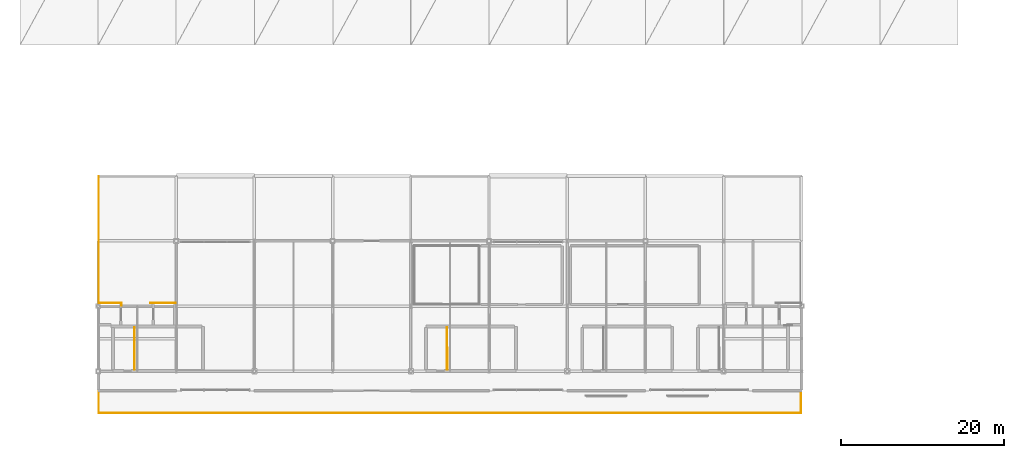
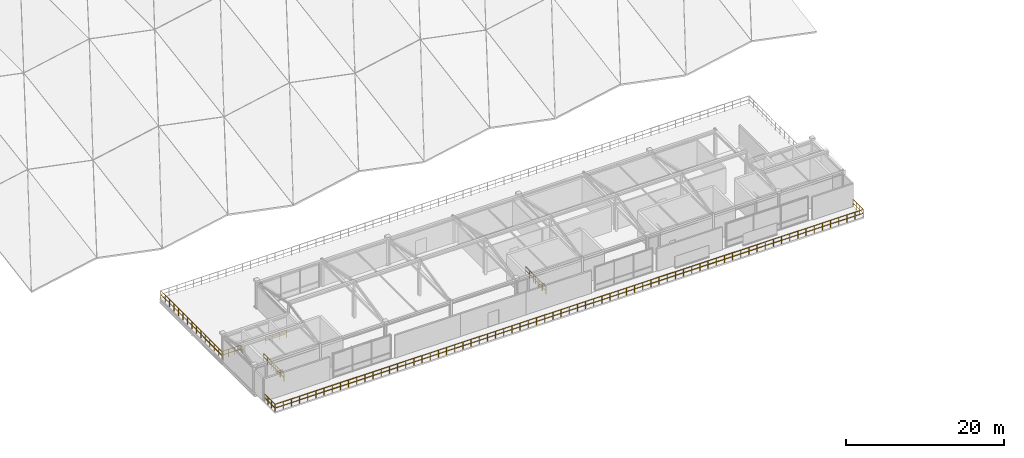
# One storey, part 23 of 26: 8 railings.
"""IFC4 building model written with IfcOpenShell, lengths in metres."""

from ifc_helpers import new_model, si_unit, direction, frame, origin, origin_2d, place, context, subcontext, project, spatial, circle, extrude, material, type_object, element, save


model = new_model("IFC4")

# Units and contexts
model_context = context("Model", 3, precision=1e-05, world=origin(), true_north=direction((0.0, 1.0)))
body_context = subcontext(model_context, "Body", "Model", "MODEL_VIEW")
ifc_project = project(units=[si_unit("LENGTHUNIT", "METRE"), si_unit("AREAUNIT", "SQUARE_METRE"), si_unit("VOLUMEUNIT", "CUBIC_METRE"), si_unit("PLANEANGLEUNIT", "RADIAN"), si_unit("MASSUNIT", "GRAM", prefix="KILO")], contexts=[model_context])

# Site, building, storey
site_placement = place(None, origin())
site = spatial("IfcSite", under=ifc_project, at=site_placement, CompositionType="ELEMENT")
building_placement = place(site_placement, origin())
building = spatial("IfcBuilding", under=site, at=building_placement, Name="Danafjord Basin Convention Centre", CompositionType="ELEMENT")
storey_placement = place(building_placement, frame((0.0, 0.0, 29.39990234375)))
storey = spatial("IfcBuildingStorey", under=building, at=storey_placement, Name="RF", CompositionType="ELEMENT", Elevation=29.39990234375)

# Railings
ifc_material_1 = material(Name="Laminated structural glass and stainless steel", Category="steel")
railing_type_1 = type_object("IfcRailingType", Name="RL-BAL-GLS", PredefinedType="BALUSTRADE", material=ifc_material_1)
railing_1_placement = place(storey_placement, frame((95.919921875, 13.52490234375, 0.0)))
element("IfcRailing", 1, at=railing_1_placement, inside=storey, type_object=railing_type_1, Name="RF safety guard balustrade 331", PredefinedType="BALUSTRADE", context=body_context, shape_type="SweptSolid", body=[
    extrude(circle(Radius=0.02392578125, at=origin_2d()), frame((0.0, 0.0, 1.1259765625), z_axis=(0.0, -1.0, 0.0), x_axis=(1.0, 0.0, 0.0)), (0.0, 0.0, 1.0), 2.64501953125),
    extrude(circle(Radius=0.02392578125, at=origin_2d()), frame((0.0, 0.0, 0.55078125), z_axis=(0.0, -1.0, 0.0), x_axis=(1.0, 0.0, 0.0)), (0.0, 0.0, 1.0), 2.64501953125),
    extrude(circle(Radius=0.02392578125, at=origin_2d()), frame((0.0, -2.64501953125, 1.1259765625), z_axis=(-1.0, 0.0, 0.0), x_axis=(0.0, -1.0, 0.0)), (0.0, 0.0, 1.0), 86.239990234375),
    extrude(circle(Radius=0.02392578125, at=origin_2d()), frame((0.0, -2.64501953125, 0.55078125), z_axis=(-1.0, 0.0, 0.0), x_axis=(0.0, -1.0, 0.0)), (0.0, 0.0, 1.0), 86.239990234375),
    extrude(circle(Radius=0.02392578125, at=origin_2d()), frame((-86.239990234375, -2.64501953125, 1.1259765625), z_axis=(0.0, 1.0, 0.0), x_axis=(-1.0, 0.0, 0.0)), (0.0, 0.0, 1.0), 2.64501953125),
    extrude(circle(Radius=0.02392578125, at=origin_2d()), frame((-86.239990234375, -2.64501953125, 0.55078125), z_axis=(0.0, 1.0, 0.0), x_axis=(-1.0, 0.0, 0.0)), (0.0, 0.0, 1.0), 2.64501953125),
    extrude(circle(Radius=0.02099609375, at=origin_2d()), origin(), (0.0, 0.0, 1.0), 1.099853515625),
    extrude(circle(Radius=0.02099609375, at=origin_2d()), frame((0.0, -0.881591796875, 0.0)), (0.0, 0.0, 1.0), 1.099853515625),
    extrude(circle(Radius=0.02099609375, at=origin_2d()), frame((0.0, -1.763427734375, 0.0)), (0.0, 0.0, 1.0), 1.099853515625),
    extrude(circle(Radius=0.02099609375, at=origin_2d()), frame((0.0, -2.64501953125, 0.0)), (0.0, 0.0, 1.0), 1.099853515625),
    extrude(circle(Radius=0.02099609375, at=origin_2d()), frame((-1.19775390625, -2.64501953125, 0.0)), (0.0, 0.0, 1.0), 1.099853515625),
    extrude(circle(Radius=0.02099609375, at=origin_2d()), frame((-2.3955078125, -2.64501953125, 0.0)), (0.0, 0.0, 1.0), 1.099853515625),
    extrude(circle(Radius=0.02099609375, at=origin_2d()), frame((-3.59326171875, -2.64501953125, 0.0)), (0.0, 0.0, 1.0), 1.099853515625),
    extrude(circle(Radius=0.02099609375, at=origin_2d()), frame((-4.791015625, -2.64501953125, 0.0)), (0.0, 0.0, 1.0), 1.099853515625),
    extrude(circle(Radius=0.02099609375, at=origin_2d()), frame((-5.98876953125, -2.64501953125, 0.0)), (0.0, 0.0, 1.0), 1.099853515625),
    extrude(circle(Radius=0.02099609375, at=origin_2d()), frame((-7.186767578125, -2.64501953125, 0.0)), (0.0, 0.0, 1.0), 1.099853515625),
    extrude(circle(Radius=0.02099609375, at=origin_2d()), frame((-8.384521484375, -2.64501953125, 0.0)), (0.0, 0.0, 1.0), 1.099853515625),
    extrude(circle(Radius=0.02099609375, at=origin_2d()), frame((-9.582275390625, -2.64501953125, 0.0)), (0.0, 0.0, 1.0), 1.099853515625),
    extrude(circle(Radius=0.02099609375, at=origin_2d()), frame((-10.780029296875, -2.64501953125, 0.0)), (0.0, 0.0, 1.0), 1.099853515625),
    extrude(circle(Radius=0.02099609375, at=origin_2d()), frame((-11.977783203125, -2.64501953125, 0.0)), (0.0, 0.0, 1.0), 1.099853515625),
    extrude(circle(Radius=0.02099609375, at=origin_2d()), frame((-13.175537109375, -2.64501953125, 0.0)), (0.0, 0.0, 1.0), 1.099853515625),
    extrude(circle(Radius=0.02099609375, at=origin_2d()), frame((-14.373291015625, -2.64501953125, 0.0)), (0.0, 0.0, 1.0), 1.099853515625),
    extrude(circle(Radius=0.02099609375, at=origin_2d()), frame((-15.571044921875, -2.64501953125, 0.0)), (0.0, 0.0, 1.0), 1.099853515625),
    extrude(circle(Radius=0.02099609375, at=origin_2d()), frame((-16.768798828125, -2.64501953125, 0.0)), (0.0, 0.0, 1.0), 1.099853515625),
    extrude(circle(Radius=0.02099609375, at=origin_2d()), frame((-17.966552734375, -2.64501953125, 0.0)), (0.0, 0.0, 1.0), 1.099853515625),
    extrude(circle(Radius=0.02099609375, at=origin_2d()), frame((-19.16455078125, -2.64501953125, 0.0)), (0.0, 0.0, 1.0), 1.099853515625),
    extrude(circle(Radius=0.02099609375, at=origin_2d()), frame((-20.3623046875, -2.64501953125, 0.0)), (0.0, 0.0, 1.0), 1.099853515625),
    extrude(circle(Radius=0.02099609375, at=origin_2d()), frame((-21.56005859375, -2.64501953125, 0.0)), (0.0, 0.0, 1.0), 1.099853515625),
    extrude(circle(Radius=0.02099609375, at=origin_2d()), frame((-22.7578125, -2.64501953125, 0.0)), (0.0, 0.0, 1.0), 1.099853515625),
    extrude(circle(Radius=0.02099609375, at=origin_2d()), frame((-23.95556640625, -2.64501953125, 0.0)), (0.0, 0.0, 1.0), 1.099853515625),
    extrude(circle(Radius=0.02099609375, at=origin_2d()), frame((-25.1533203125, -2.64501953125, 0.0)), (0.0, 0.0, 1.0), 1.099853515625),
    extrude(circle(Radius=0.02099609375, at=origin_2d()), frame((-26.35107421875, -2.64501953125, 0.0)), (0.0, 0.0, 1.0), 1.099853515625),
    extrude(circle(Radius=0.02099609375, at=origin_2d()), frame((-27.548828125, -2.64501953125, 0.0)), (0.0, 0.0, 1.0), 1.099853515625),
    extrude(circle(Radius=0.02099609375, at=origin_2d()), frame((-28.74658203125, -2.64501953125, 0.0)), (0.0, 0.0, 1.0), 1.099853515625),
    extrude(circle(Radius=0.02099609375, at=origin_2d()), frame((-29.9443359375, -2.64501953125, 0.0)), (0.0, 0.0, 1.0), 1.099853515625),
    extrude(circle(Radius=0.02099609375, at=origin_2d()), frame((-31.142333984375, -2.64501953125, 0.0)), (0.0, 0.0, 1.0), 1.099853515625),
    extrude(circle(Radius=0.02099609375, at=origin_2d()), frame((-32.340087890625, -2.64501953125, 0.0)), (0.0, 0.0, 1.0), 1.099853515625),
    extrude(circle(Radius=0.02099609375, at=origin_2d()), frame((-33.537841796875, -2.64501953125, 0.0)), (0.0, 0.0, 1.0), 1.099853515625),
    extrude(circle(Radius=0.02099609375, at=origin_2d()), frame((-34.735595703125, -2.64501953125, 0.0)), (0.0, 0.0, 1.0), 1.099853515625),
    extrude(circle(Radius=0.02099609375, at=origin_2d()), frame((-35.933349609375, -2.64501953125, 0.0)), (0.0, 0.0, 1.0), 1.099853515625),
    extrude(circle(Radius=0.02099609375, at=origin_2d()), frame((-37.131103515625, -2.64501953125, 0.0)), (0.0, 0.0, 1.0), 1.099853515625),
    extrude(circle(Radius=0.02099609375, at=origin_2d()), frame((-38.328857421875, -2.64501953125, 0.0)), (0.0, 0.0, 1.0), 1.099853515625),
    extrude(circle(Radius=0.02099609375, at=origin_2d()), frame((-39.526611328125, -2.64501953125, 0.0)), (0.0, 0.0, 1.0), 1.099853515625),
    extrude(circle(Radius=0.02099609375, at=origin_2d()), frame((-40.724365234375, -2.64501953125, 0.0)), (0.0, 0.0, 1.0), 1.099853515625),
    extrude(circle(Radius=0.02099609375, at=origin_2d()), frame((-41.922119140625, -2.64501953125, 0.0)), (0.0, 0.0, 1.0), 1.099853515625),
    extrude(circle(Radius=0.02099609375, at=origin_2d()), frame((-43.1201171875, -2.64501953125, 0.0)), (0.0, 0.0, 1.0), 1.099853515625),
    extrude(circle(Radius=0.02099609375, at=origin_2d()), frame((-44.31787109375, -2.64501953125, 0.0)), (0.0, 0.0, 1.0), 1.099853515625),
    extrude(circle(Radius=0.02099609375, at=origin_2d()), frame((-45.515625, -2.64501953125, 0.0)), (0.0, 0.0, 1.0), 1.099853515625),
    extrude(circle(Radius=0.02099609375, at=origin_2d()), frame((-46.71337890625, -2.64501953125, 0.0)), (0.0, 0.0, 1.0), 1.099853515625),
    extrude(circle(Radius=0.02099609375, at=origin_2d()), frame((-47.9111328125, -2.64501953125, 0.0)), (0.0, 0.0, 1.0), 1.099853515625),
    extrude(circle(Radius=0.02099609375, at=origin_2d()), frame((-49.10888671875, -2.64501953125, 0.0)), (0.0, 0.0, 1.0), 1.099853515625),
    extrude(circle(Radius=0.02099609375, at=origin_2d()), frame((-50.306640625, -2.64501953125, 0.0)), (0.0, 0.0, 1.0), 1.099853515625),
    extrude(circle(Radius=0.02099609375, at=origin_2d()), frame((-51.50439453125, -2.64501953125, 0.0)), (0.0, 0.0, 1.0), 1.099853515625),
    extrude(circle(Radius=0.02099609375, at=origin_2d()), frame((-52.7021484375, -2.64501953125, 0.0)), (0.0, 0.0, 1.0), 1.099853515625),
    extrude(circle(Radius=0.02099609375, at=origin_2d()), frame((-53.89990234375, -2.64501953125, 0.0)), (0.0, 0.0, 1.0), 1.099853515625),
    extrude(circle(Radius=0.02099609375, at=origin_2d()), frame((-55.09765625, -2.64501953125, 0.0)), (0.0, 0.0, 1.0), 1.099853515625),
    extrude(circle(Radius=0.02099609375, at=origin_2d()), frame((-56.295654296875, -2.64501953125, 0.0)), (0.0, 0.0, 1.0), 1.099853515625),
    extrude(circle(Radius=0.02099609375, at=origin_2d()), frame((-57.493408203125, -2.64501953125, 0.0)), (0.0, 0.0, 1.0), 1.099853515625),
    extrude(circle(Radius=0.02099609375, at=origin_2d()), frame((-58.691162109375, -2.64501953125, 0.0)), (0.0, 0.0, 1.0), 1.099853515625),
    extrude(circle(Radius=0.02099609375, at=origin_2d()), frame((-59.888916015625, -2.64501953125, 0.0)), (0.0, 0.0, 1.0), 1.099853515625),
    extrude(circle(Radius=0.02099609375, at=origin_2d()), frame((-61.086669921875, -2.64501953125, 0.0)), (0.0, 0.0, 1.0), 1.099853515625),
    extrude(circle(Radius=0.02099609375, at=origin_2d()), frame((-62.284423828125, -2.64501953125, 0.0)), (0.0, 0.0, 1.0), 1.099853515625),
    extrude(circle(Radius=0.02099609375, at=origin_2d()), frame((-63.482177734375, -2.64501953125, 0.0)), (0.0, 0.0, 1.0), 1.099853515625),
    extrude(circle(Radius=0.02099609375, at=origin_2d()), frame((-64.679931640625, -2.64501953125, 0.0)), (0.0, 0.0, 1.0), 1.099853515625),
    extrude(circle(Radius=0.02099609375, at=origin_2d()), frame((-65.877685546875, -2.64501953125, 0.0)), (0.0, 0.0, 1.0), 1.099853515625),
    extrude(circle(Radius=0.02099609375, at=origin_2d()), frame((-67.075439453125, -2.64501953125, 0.0)), (0.0, 0.0, 1.0), 1.099853515625),
    extrude(circle(Radius=0.02099609375, at=origin_2d()), frame((-68.2734375, -2.64501953125, 0.0)), (0.0, 0.0, 1.0), 1.099853515625),
    extrude(circle(Radius=0.02099609375, at=origin_2d()), frame((-69.47119140625, -2.64501953125, 0.0)), (0.0, 0.0, 1.0), 1.099853515625),
    extrude(circle(Radius=0.02099609375, at=origin_2d()), frame((-70.6689453125, -2.64501953125, 0.0)), (0.0, 0.0, 1.0), 1.099853515625),
    extrude(circle(Radius=0.02099609375, at=origin_2d()), frame((-71.86669921875, -2.64501953125, 0.0)), (0.0, 0.0, 1.0), 1.099853515625),
    extrude(circle(Radius=0.02099609375, at=origin_2d()), frame((-73.064453125, -2.64501953125, 0.0)), (0.0, 0.0, 1.0), 1.099853515625),
    extrude(circle(Radius=0.02099609375, at=origin_2d()), frame((-74.26220703125, -2.64501953125, 0.0)), (0.0, 0.0, 1.0), 1.099853515625),
    extrude(circle(Radius=0.02099609375, at=origin_2d()), frame((-75.4599609375, -2.64501953125, 0.0)), (0.0, 0.0, 1.0), 1.099853515625),
    extrude(circle(Radius=0.02099609375, at=origin_2d()), frame((-76.65771484375, -2.64501953125, 0.0)), (0.0, 0.0, 1.0), 1.099853515625),
    extrude(circle(Radius=0.02099609375, at=origin_2d()), frame((-77.85546875, -2.64501953125, 0.0)), (0.0, 0.0, 1.0), 1.099853515625),
    extrude(circle(Radius=0.02099609375, at=origin_2d()), frame((-79.05322265625, -2.64501953125, 0.0)), (0.0, 0.0, 1.0), 1.099853515625),
    extrude(circle(Radius=0.02099609375, at=origin_2d()), frame((-80.251220703125, -2.64501953125, 0.0)), (0.0, 0.0, 1.0), 1.099853515625),
    extrude(circle(Radius=0.02099609375, at=origin_2d()), frame((-81.448974609375, -2.64501953125, 0.0)), (0.0, 0.0, 1.0), 1.099853515625),
    extrude(circle(Radius=0.02099609375, at=origin_2d()), frame((-82.646728515625, -2.64501953125, 0.0)), (0.0, 0.0, 1.0), 1.099853515625),
    extrude(circle(Radius=0.02099609375, at=origin_2d()), frame((-83.844482421875, -2.64501953125, 0.0)), (0.0, 0.0, 1.0), 1.099853515625),
    extrude(circle(Radius=0.02099609375, at=origin_2d()), frame((-85.042236328125, -2.64501953125, 0.0)), (0.0, 0.0, 1.0), 1.099853515625),
    extrude(circle(Radius=0.02099609375, at=origin_2d()), frame((-86.239990234375, -2.64501953125, 0.0)), (0.0, 0.0, 1.0), 1.099853515625),
    extrude(circle(Radius=0.02099609375, at=origin_2d()), frame((-86.239990234375, -1.763427734375, 0.0)), (0.0, 0.0, 1.0), 1.099853515625),
    extrude(circle(Radius=0.02099609375, at=origin_2d()), frame((-86.239990234375, -0.881591796875, 0.0)), (0.0, 0.0, 1.0), 1.099853515625),
    extrude(circle(Radius=0.02099609375, at=origin_2d()), frame((-86.239990234375, 0.0, 0.0)), (0.0, 0.0, 1.0), 1.099853515625),
])
railing_2_placement = place(storey_placement, frame((9.679931640625, 24.074951171875, 0.0)))
element("IfcRailing", 2, at=railing_2_placement, inside=storey, type_object=railing_type_1, Name="RF safety guard balustrade 332", PredefinedType="BALUSTRADE", context=body_context, shape_type="SweptSolid", body=[
    extrude(circle(Radius=0.02392578125, at=origin_2d()), frame((0.0, 0.0, 1.1259765625), z_axis=(0.0, 1.0, 0.0), x_axis=(-1.0, 0.0, 0.0)), (0.0, 0.0, 1.0), 15.844970703125),
    extrude(circle(Radius=0.02392578125, at=origin_2d()), frame((0.0, 0.0, 0.55078125), z_axis=(0.0, 1.0, 0.0), x_axis=(-1.0, 0.0, 0.0)), (0.0, 0.0, 1.0), 15.844970703125),
    extrude(circle(Radius=0.02099609375, at=origin_2d()), origin(), (0.0, 0.0, 1.0), 1.099853515625),
    extrude(circle(Radius=0.02099609375, at=origin_2d()), frame((0.0, 1.1318359375, 0.0)), (0.0, 0.0, 1.0), 1.099853515625),
    extrude(circle(Radius=0.02099609375, at=origin_2d()), frame((0.0, 2.263671875, 0.0)), (0.0, 0.0, 1.0), 1.099853515625),
    extrude(circle(Radius=0.02099609375, at=origin_2d()), frame((0.0, 3.395263671875, 0.0)), (0.0, 0.0, 1.0), 1.099853515625),
    extrude(circle(Radius=0.02099609375, at=origin_2d()), frame((0.0, 4.527099609375, 0.0)), (0.0, 0.0, 1.0), 1.099853515625),
    extrude(circle(Radius=0.02099609375, at=origin_2d()), frame((0.0, 5.658935546875, 0.0)), (0.0, 0.0, 1.0), 1.099853515625),
    extrude(circle(Radius=0.02099609375, at=origin_2d()), frame((0.0, 6.790771484375, 0.0)), (0.0, 0.0, 1.0), 1.099853515625),
    extrude(circle(Radius=0.02099609375, at=origin_2d()), frame((0.0, 7.92236328125, 0.0)), (0.0, 0.0, 1.0), 1.099853515625),
    extrude(circle(Radius=0.02099609375, at=origin_2d()), frame((0.0, 9.05419921875, 0.0)), (0.0, 0.0, 1.0), 1.099853515625),
    extrude(circle(Radius=0.02099609375, at=origin_2d()), frame((0.0, 10.18603515625, 0.0)), (0.0, 0.0, 1.0), 1.099853515625),
    extrude(circle(Radius=0.02099609375, at=origin_2d()), frame((0.0, 11.31787109375, 0.0)), (0.0, 0.0, 1.0), 1.099853515625),
    extrude(circle(Radius=0.02099609375, at=origin_2d()), frame((0.0, 12.44970703125, 0.0)), (0.0, 0.0, 1.0), 1.099853515625),
    extrude(circle(Radius=0.02099609375, at=origin_2d()), frame((0.0, 13.581298828125, 0.0)), (0.0, 0.0, 1.0), 1.099853515625),
    extrude(circle(Radius=0.02099609375, at=origin_2d()), frame((0.0, 14.713134765625, 0.0)), (0.0, 0.0, 1.0), 1.099853515625),
    extrude(circle(Radius=0.02099609375, at=origin_2d()), frame((0.0, 15.844970703125, 0.0)), (0.0, 0.0, 1.0), 1.099853515625),
])
railing_3_placement = place(storey_placement, frame((52.449951171875, 21.375, 0.0)))
element("IfcRailing", 3, at=railing_3_placement, inside=storey, type_object=railing_type_1, Name="RF safety guard balustrade 338", PredefinedType="BALUSTRADE", context=body_context, shape_type="SweptSolid", body=[
    extrude(circle(Radius=0.02392578125, at=origin_2d()), frame((0.0, 0.0, 1.1259765625), z_axis=(0.0, -1.0, 0.0), x_axis=(1.0, 0.0, 0.0)), (0.0, 0.0, 1.0), 5.18994140625),
    extrude(circle(Radius=0.02392578125, at=origin_2d()), frame((0.0, 0.0, 0.55078125), z_axis=(0.0, -1.0, 0.0), x_axis=(1.0, 0.0, 0.0)), (0.0, 0.0, 1.0), 5.18994140625),
    extrude(circle(Radius=0.02099609375, at=origin_2d()), origin(), (0.0, 0.0, 1.0), 1.099853515625),
    extrude(circle(Radius=0.02099609375, at=origin_2d()), frame((0.0, -1.0380859375, 0.0)), (0.0, 0.0, 1.0), 1.099853515625),
    extrude(circle(Radius=0.02099609375, at=origin_2d()), frame((0.0, -2.075927734375, 0.0)), (0.0, 0.0, 1.0), 1.099853515625),
    extrude(circle(Radius=0.02099609375, at=origin_2d()), frame((0.0, -3.114013671875, 0.0)), (0.0, 0.0, 1.0), 1.099853515625),
    extrude(circle(Radius=0.02099609375, at=origin_2d()), frame((0.0, -4.15185546875, 0.0)), (0.0, 0.0, 1.0), 1.099853515625),
    extrude(circle(Radius=0.02099609375, at=origin_2d()), frame((0.0, -5.18994140625, 0.0)), (0.0, 0.0, 1.0), 1.099853515625),
])
railing_4_placement = place(storey_placement, frame((19.125, 24.3798828125, 0.0)))
element("IfcRailing", 4, at=railing_4_placement, inside=storey, type_object=railing_type_1, Name="RF safety guard balustrade 340", PredefinedType="BALUSTRADE", context=body_context, shape_type="SweptSolid", body=[
    extrude(circle(Radius=0.02392578125, at=origin_2d()), frame((0.0, 0.0, 1.1259765625), z_axis=(-1.0, 0.0, 0.0), x_axis=(0.0, -1.0, 0.0)), (0.0, 0.0, 1.0), 3.0849609375),
    extrude(circle(Radius=0.02392578125, at=origin_2d()), frame((0.0, 0.0, 0.55078125), z_axis=(-1.0, 0.0, 0.0), x_axis=(0.0, -1.0, 0.0)), (0.0, 0.0, 1.0), 3.0849609375),
    extrude(circle(Radius=0.02099609375, at=origin_2d()), origin(), (0.0, 0.0, 1.0), 1.099853515625),
    extrude(circle(Radius=0.02099609375, at=origin_2d()), frame((-1.0283203125, 0.0, 0.0)), (0.0, 0.0, 1.0), 1.099853515625),
    extrude(circle(Radius=0.02099609375, at=origin_2d()), frame((-2.056640625, 0.0, 0.0)), (0.0, 0.0, 1.0), 1.099853515625),
    extrude(circle(Radius=0.02099609375, at=origin_2d()), frame((-3.0849609375, 0.0, 0.0)), (0.0, 0.0, 1.0), 1.099853515625),
])
railing_5_placement = place(storey_placement, frame((12.47998046875, 24.074951171875, 0.0)))
element("IfcRailing", 5, at=railing_5_placement, inside=storey, type_object=railing_type_1, Name="RF safety guard balustrade 341", PredefinedType="BALUSTRADE", context=body_context, shape_type="SweptSolid", body=[
    extrude(circle(Radius=0.02392578125, at=origin_2d()), frame((0.0, 0.0, 1.1259765625), z_axis=(0.0, 1.0, 0.0), x_axis=(-1.0, 0.0, 0.0)), (0.0, 0.0, 1.0), 0.304931640625),
    extrude(circle(Radius=0.02392578125, at=origin_2d()), frame((0.0, 0.0, 0.55078125), z_axis=(0.0, 1.0, 0.0), x_axis=(-1.0, 0.0, 0.0)), (0.0, 0.0, 1.0), 0.304931640625),
    extrude(circle(Radius=0.02392578125, at=origin_2d()), frame((0.0, 0.304931640625, 1.1259765625), z_axis=(-1.0, 0.0, 0.0), x_axis=(0.0, -1.0, 0.0)), (0.0, 0.0, 1.0), 2.760009765625),
    extrude(circle(Radius=0.02392578125, at=origin_2d()), frame((0.0, 0.304931640625, 0.55078125), z_axis=(-1.0, 0.0, 0.0), x_axis=(0.0, -1.0, 0.0)), (0.0, 0.0, 1.0), 2.760009765625),
    extrude(circle(Radius=0.02099609375, at=origin_2d()), origin(), (0.0, 0.0, 1.0), 1.099853515625),
    extrude(circle(Radius=0.02099609375, at=origin_2d()), frame((0.0, 0.304931640625, 0.0)), (0.0, 0.0, 1.0), 1.099853515625),
    extrude(circle(Radius=0.02099609375, at=origin_2d()), frame((-0.919921875, 0.304931640625, 0.0)), (0.0, 0.0, 1.0), 1.099853515625),
    extrude(circle(Radius=0.02099609375, at=origin_2d()), frame((-1.840087890625, 0.304931640625, 0.0)), (0.0, 0.0, 1.0), 1.099853515625),
    extrude(circle(Radius=0.02099609375, at=origin_2d()), frame((-2.760009765625, 0.304931640625, 0.0)), (0.0, 0.0, 1.0), 1.099853515625),
])
ifc_material_2 = material(Name="Galvanised and powder-coated steel S355", Category="steel")
railing_type_2 = type_object("IfcRailingType", Name="RL-BAL-STL", PredefinedType="BALUSTRADE", material=ifc_material_2)
railing_6_placement = place(storey_placement, frame((14.050048828125, 21.375, 0.0)))
element("IfcRailing", 6, at=railing_6_placement, inside=storey, type_object=railing_type_2, Name="RF safety guard balustrade 339", PredefinedType="BALUSTRADE", context=body_context, shape_type="SweptSolid", body=[
    extrude(circle(Radius=0.02392578125, at=origin_2d()), frame((0.0, 0.0, 1.1259765625), z_axis=(0.0, -1.0, 0.0), x_axis=(1.0, 0.0, 0.0)), (0.0, 0.0, 1.0), 5.18994140625),
    extrude(circle(Radius=0.02392578125, at=origin_2d()), frame((0.0, 0.0, 0.55078125), z_axis=(0.0, -1.0, 0.0), x_axis=(1.0, 0.0, 0.0)), (0.0, 0.0, 1.0), 5.18994140625),
    extrude(circle(Radius=0.02099609375, at=origin_2d()), origin(), (0.0, 0.0, 1.0), 1.099853515625),
    extrude(circle(Radius=0.02099609375, at=origin_2d()), frame((0.0, -1.0380859375, 0.0)), (0.0, 0.0, 1.0), 1.099853515625),
    extrude(circle(Radius=0.02099609375, at=origin_2d()), frame((0.0, -2.075927734375, 0.0)), (0.0, 0.0, 1.0), 1.099853515625),
    extrude(circle(Radius=0.02099609375, at=origin_2d()), frame((0.0, -3.114013671875, 0.0)), (0.0, 0.0, 1.0), 1.099853515625),
    extrude(circle(Radius=0.02099609375, at=origin_2d()), frame((0.0, -4.15185546875, 0.0)), (0.0, 0.0, 1.0), 1.099853515625),
    extrude(circle(Radius=0.02099609375, at=origin_2d()), frame((0.0, -5.18994140625, 0.0)), (0.0, 0.0, 1.0), 1.099853515625),
])
ifc_material_3 = material(Name="Galvanised steel S355", Category="steel")
railing_type_3 = type_object("IfcRailingType", Name="RL-GD-WELL", PredefinedType="BALUSTRADE", material=ifc_material_3)
for number, where, name in (
    (7, (14.080078125, 16.2099609375, 0.0), "RF ST-01 top well guard 1"),
    (8, (52.47998046875, 16.2099609375, 0.0), "RF ST-05 top well guard 1"),
):
    element("IfcRailing", number, at=place(storey_placement, frame(where)), inside=storey, type_object=railing_type_3, Name=name, PredefinedType="BALUSTRADE", context=body_context, shape_type="SweptSolid", body=[
        extrude(circle(Radius=0.02392578125, at=origin_2d()), frame((0.0, 0.0, 1.076171875), z_axis=(0.0, 1.0, 0.0), x_axis=(-1.0, 0.0, 0.0)), (0.0, 0.0, 1.0), 2.64013671875),
        extrude(circle(Radius=0.02392578125, at=origin_2d()), frame((0.0, 0.0, 0.52587890625), z_axis=(0.0, 1.0, 0.0), x_axis=(-1.0, 0.0, 0.0)), (0.0, 0.0, 1.0), 2.64013671875),
        extrude(circle(Radius=0.02099609375, at=origin_2d()), origin(), (0.0, 0.0, 1.0), 1.050048828125),
        extrude(circle(Radius=0.02099609375, at=origin_2d()), frame((0.0, 0.880126953125, 0.0)), (0.0, 0.0, 1.0), 1.050048828125),
        extrude(circle(Radius=0.02099609375, at=origin_2d()), frame((0.0, 1.760009765625, 0.0)), (0.0, 0.0, 1.0), 1.050048828125),
        extrude(circle(Radius=0.02099609375, at=origin_2d()), frame((0.0, 2.64013671875, 0.0)), (0.0, 0.0, 1.0), 1.050048828125),
    ])

save(model, "model.ifc")
